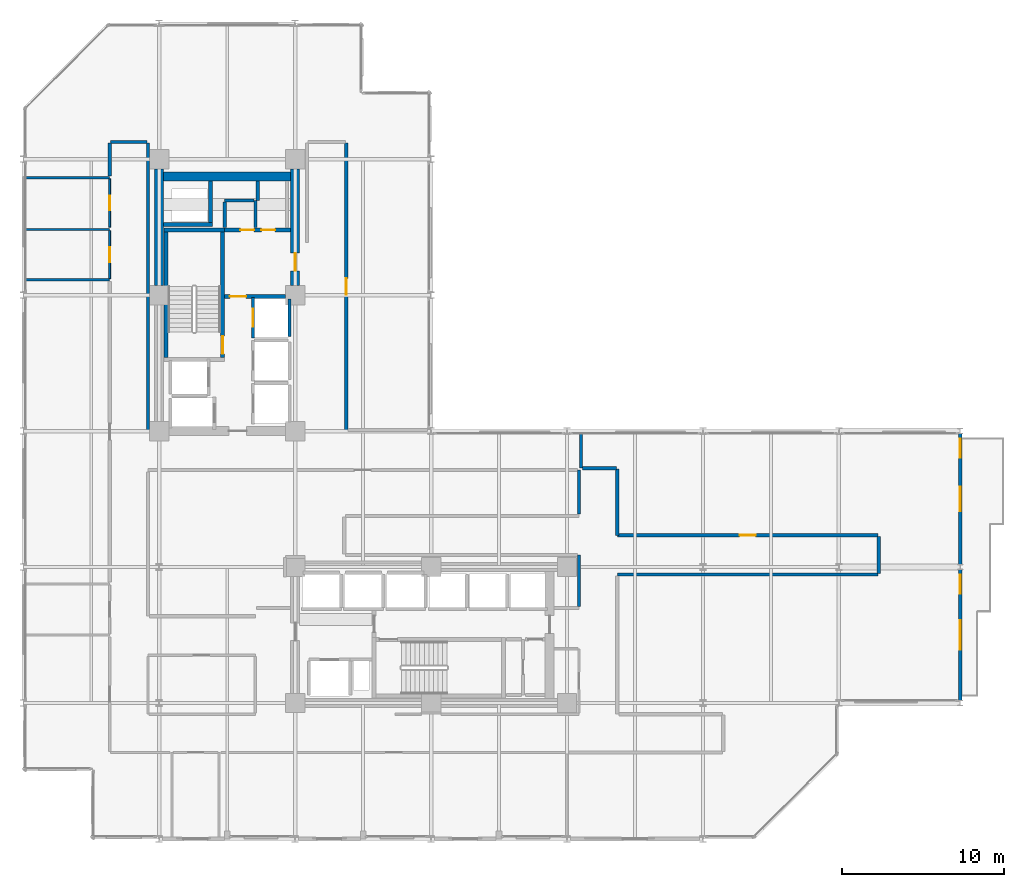
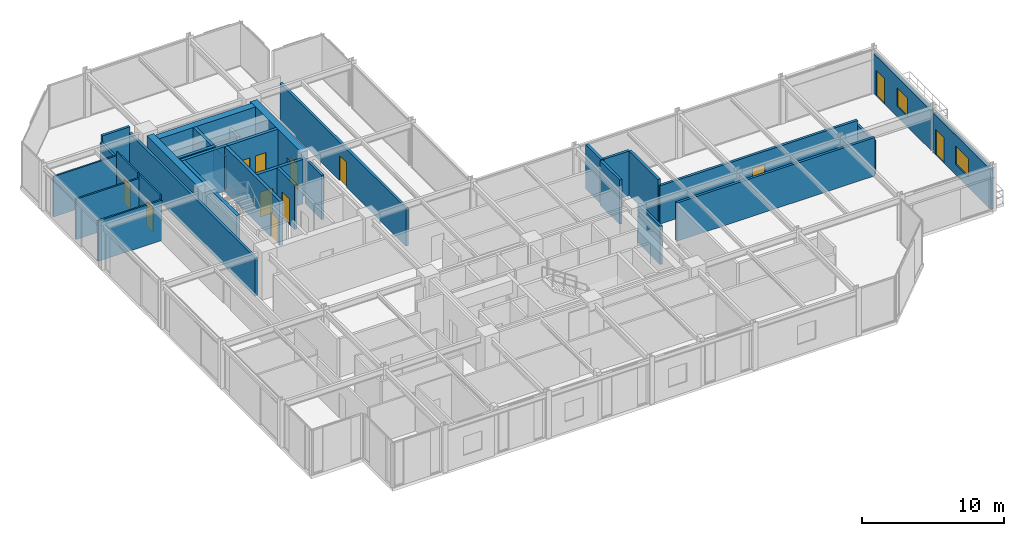
# One storey, part 34 of 38: 35 walls, 12 doors, 2 windows, 14 openings.
"""IFC4 building model written with IfcOpenShell, lengths in metres."""

from ifc_helpers import new_model, si_unit, direction, frame, frame_2d, origin, place, context, subcontext, project, spatial, rectangle, extrude, material, layer, layer_set, type_object, element, fill, save


model = new_model("IFC4")

# Units and contexts
model_context = context("Model", 3, precision=1e-05, world=origin(), true_north=direction((0.0, 1.0)))
body_context = subcontext(model_context, "Body", "Model", "MODEL_VIEW")
ifc_project = project(units=[si_unit("LENGTHUNIT", "METRE"), si_unit("AREAUNIT", "SQUARE_METRE"), si_unit("VOLUMEUNIT", "CUBIC_METRE"), si_unit("PLANEANGLEUNIT", "RADIAN"), si_unit("MASSUNIT", "GRAM", prefix="KILO")], contexts=[model_context])

# Site, building, storey
site_placement = place(None, origin())
site = spatial("IfcSite", under=ifc_project, at=site_placement, CompositionType="ELEMENT")
building_placement = place(site_placement, origin())
building = spatial("IfcBuilding", under=site, at=building_placement, Name="Nerrivon Quay Data Exchange", CompositionType="ELEMENT")
storey_placement = place(building_placement, frame((0.0, 0.0, 96.699951171875)))
storey = spatial("IfcBuildingStorey", under=building, at=storey_placement, Name="L22", CompositionType="ELEMENT", Elevation=96.699951171875)

# Wall, openings, door, window
ifc_material_1 = material(Name="Architectural terracotta precast concrete N50 (50 MPa)", Category="masonry")
ifc_layer_1 = layer(ifc_material_1, 0.239990234375)
ifc_layer_set_1 = layer_set([ifc_layer_1], Name="Architectural terracotta precast concrete N50 (50 MPa)")
wall_type_1 = type_object("IfcWallType", Name="EW-PREC-240", PredefinedType="STANDARD", material=ifc_layer_set_1)
wall_1_placement = place(storey_placement, frame((57.89990234375, 25.03662109375, 0.0), z_axis=(0.0, 0.0, 1.0), x_axis=(0.0, -1.0, 0.0)))
wall_1 = element("IfcWall", 1, at=wall_1_placement, inside=storey, type_object=wall_type_1, Name="L22 Terrace Host Wall 1", PredefinedType="STANDARD", context=body_context, shape_type="SweptSolid", body=[
    extrude(rectangle(XDim=8.0732421875, YDim=0.239990234375, at=frame_2d((4.03662109375, 0.0))), origin(), (0.0, 0.0, 1.0), 3.422119140625),
])
opening_1_placement = place(wall_1_placement, frame((0.300048828125, 0.0, 0.0)))
opening_1 = element("IfcOpeningElement", 2, at=opening_1_placement, cuts=wall_1, Name="Opening TD1", PredefinedType="OPENING", context=body_context, shape_type="SweptSolid", body=[
    extrude(rectangle(XDim=1.199951171875, YDim=2.199951171875, at=frame_2d((0.60009765625, 1.10009765625))), frame((0.0, 0.1298828125, 0.0), z_axis=(0.0, -1.0, 0.0), x_axis=(1.0, 0.0, 0.0)), (0.0, 0.0, 1.0), 0.260009765625),
])
opening_2_placement = place(wall_1_placement, frame((3.28662109375, 0.0, 0.89990234375)))
opening_2 = element("IfcOpeningElement", 3, at=opening_2_placement, cuts=wall_1, Name="Opening WN4", PredefinedType="OPENING", context=body_context, shape_type="SweptSolid", body=[
    extrude(rectangle(XDim=1.5, YDim=1.60009765625, at=frame_2d((0.75, 0.800048828125))), frame((0.0, 0.1298828125, 0.0), z_axis=(0.0, -1.0, 0.0), x_axis=(1.0, 0.0, 0.0)), (0.0, 0.0, 1.0), 0.260009765625),
])
ifc_material_2 = material(Name="Double-glazed low-E solar control glass", Category="glass")
door_type_1 = type_object("IfcDoorType", Name="DR-TERR-1200x2200", OperationType="NOTDEFINED", PredefinedType="DOOR", material=ifc_material_2)
door_1_placement = place(opening_1_placement, origin())
door_1 = element("IfcDoor", 4, at=door_1_placement, inside=storey, type_object=door_type_1, Name="L22 Outdoor Terrace Access Door 1", OperationType="SINGLE_SWING_RIGHT", OverallHeight=2.199951171875, OverallWidth=1.199951171875, PredefinedType="DOOR", context=body_context, shape_type="SweptSolid", body=[
    extrude(rectangle(XDim=1.199951171875, YDim=2.199951171875, at=frame_2d((0.60009765625, 1.10009765625))), frame((0.0, 0.02490234375, 0.0), z_axis=(0.0, -1.0, 0.0), x_axis=(1.0, 0.0, 0.0)), (0.0, 0.0, 1.0), 0.050048828125),
])
fill(opening_1, door_1)
window_type_1 = type_object("IfcWindowType", Name="WIN-W4-1500x1600", PartitioningType="SINGLE_PANEL", PredefinedType="WINDOW", material=ifc_material_2)
window_1_placement = place(opening_2_placement, origin())
window_1 = element("IfcWindow", 5, at=window_1_placement, inside=storey, type_object=window_type_1, Name="L22 Terrace Side Window 1", OverallHeight=1.60009765625, OverallWidth=1.5, PartitioningType="SINGLE_PANEL", PredefinedType="WINDOW", context=body_context, shape_type="SweptSolid", body=[
    extrude(rectangle(XDim=1.5, YDim=1.60009765625, at=frame_2d((0.75, 0.800048828125))), frame((0.0, 0.030029296875, 0.0), z_axis=(0.0, -1.0, 0.0), x_axis=(1.0, 0.0, 0.0)), (0.0, 0.0, 1.0), 0.06005859375),
])
fill(opening_2, window_1)

wall_2_placement = place(storey_placement, frame((57.89990234375, 16.636474609375, 0.0), z_axis=(0.0, 0.0, 1.0), x_axis=(0.0, -1.0, 0.0)))
wall_2 = element("IfcWall", 6, at=wall_2_placement, inside=storey, type_object=wall_type_1, Name="L22 Terrace Host Wall 2", PredefinedType="STANDARD", context=body_context, shape_type="SweptSolid", body=[
    extrude(rectangle(XDim=8.072998046875, YDim=0.239990234375, at=frame_2d((4.03662109375, 0.0))), origin(), (0.0, 0.0, 1.0), 3.422119140625),
])
opening_3_placement = place(wall_2_placement, frame((0.300048828125, 0.0, 0.0)))
opening_3 = element("IfcOpeningElement", 7, at=opening_3_placement, cuts=wall_2, Name="Opening TD1", PredefinedType="OPENING", context=body_context, shape_type="SweptSolid", body=[
    extrude(rectangle(XDim=1.199951171875, YDim=2.199951171875, at=frame_2d((0.60009765625, 1.10009765625))), frame((0.0, 0.1298828125, 0.0), z_axis=(0.0, -1.0, 0.0), x_axis=(1.0, 0.0, 0.0)), (0.0, 0.0, 1.0), 0.260009765625),
])
opening_4_placement = place(wall_2_placement, frame((3.136474609375, 0.0, 0.89990234375)))
opening_4 = element("IfcOpeningElement", 8, at=opening_4_placement, cuts=wall_2, Name="Opening WN2", PredefinedType="OPENING", context=body_context, shape_type="SweptSolid", body=[
    extrude(rectangle(XDim=1.800048828125, YDim=1.60009765625, at=frame_2d((0.89990234375, 0.800048828125))), frame((0.0, 0.1298828125, 0.0), z_axis=(0.0, -1.0, 0.0), x_axis=(1.0, 0.0, 0.0)), (0.0, 0.0, 1.0), 0.260009765625),
])
door_2_placement = place(opening_3_placement, origin())
door_2 = element("IfcDoor", 9, at=door_2_placement, inside=storey, type_object=door_type_1, Name="L22 Outdoor Terrace Access Door 2", OperationType="SINGLE_SWING_LEFT", OverallHeight=2.199951171875, OverallWidth=1.199951171875, PredefinedType="DOOR", context=body_context, shape_type="SweptSolid", body=[
    extrude(rectangle(XDim=1.199951171875, YDim=2.199951171875, at=frame_2d((0.60009765625, 1.10009765625))), frame((0.0, 0.02490234375, 0.0), z_axis=(0.0, -1.0, 0.0), x_axis=(1.0, 0.0, 0.0)), (0.0, 0.0, 1.0), 0.050048828125),
])
fill(opening_3, door_2)
window_type_2 = type_object("IfcWindowType", Name="WIN-W2-1800x1600", PartitioningType="SINGLE_PANEL", PredefinedType="WINDOW", material=ifc_material_2)
window_2_placement = place(opening_4_placement, origin())
window_2 = element("IfcWindow", 10, at=window_2_placement, inside=storey, type_object=window_type_2, Name="L22 Terrace Side Window 2", OverallHeight=1.60009765625, OverallWidth=1.800048828125, PartitioningType="SINGLE_PANEL", PredefinedType="WINDOW", context=body_context, shape_type="SweptSolid", body=[
    extrude(rectangle(XDim=1.800048828125, YDim=1.60009765625, at=frame_2d((0.89990234375, 0.800048828125))), frame((0.0, 0.030029296875, 0.0), z_axis=(0.0, -1.0, 0.0), x_axis=(1.0, 0.0, 0.0)), (0.0, 0.0, 1.0), 0.06005859375),
])
fill(opening_4, window_2)

# Walls
ifc_material_3 = material(Name="Concrete S65 (65 MPa)", Category="concrete")
ifc_layer_2 = layer(ifc_material_3, 0.550048828125)
ifc_layer_set_2 = layer_set([ifc_layer_2], Name="Concrete S65 (65 MPa)")
wall_type_2 = type_object("IfcWallType", Name="WALL-CW-700", PredefinedType="SHEAR", material=ifc_layer_set_2)
wall_3_placement = place(storey_placement, frame((8.39990234375, 34.199951171875, 0.0), z_axis=(0.0, 0.0, 1.0), x_axis=(0.0, 1.0, 0.0)))
element("IfcWall", 11, at=wall_3_placement, inside=storey, type_object=wall_type_2, Name="L22 West Split-Core Shear Wall WCW-W2", PredefinedType="SHEAR", context=body_context, shape_type="SweptSolid", body=[
    extrude(rectangle(XDim=7.199951171875, YDim=0.550048828125, at=frame_2d((3.60009765625, 0.0))), origin(), (0.0, 0.0, 1.0), 3.824951171875),
])
wall_4_placement = place(storey_placement, frame((8.675048828125, 40.925048828125, 0.0), z_axis=(0.0, 0.0, 1.0), x_axis=(1.0, 0.0, 0.0)))
element("IfcWall", 12, at=wall_4_placement, inside=storey, type_object=wall_type_2, Name="L22 West Split-Core Shear Wall WCW-N1", PredefinedType="SHEAR", context=body_context, shape_type="SweptSolid", body=[
    extrude(rectangle(XDim=7.849853515625, YDim=0.550048828125, at=frame_2d((3.9248046875, 0.0))), origin(), (0.0, 0.0, 1.0), 3.824951171875),
])

# Wall, opening, door
wall_5_placement = place(storey_placement, frame((16.800048828125, 34.199951171875, 0.0), z_axis=(0.0, 0.0, 1.0), x_axis=(0.0, 1.0, 0.0)))
wall_5 = element("IfcWall", 13, at=wall_5_placement, inside=storey, type_object=wall_type_2, Name="L22 West Split-Core Shear Wall WCW-E1", PredefinedType="SHEAR", context=body_context, shape_type="SweptSolid", body=[
    extrude(rectangle(XDim=7.199951171875, YDim=0.550048828125, at=frame_2d((3.60009765625, 0.0))), origin(), (0.0, 0.0, 1.0), 3.824951171875),
])
opening_5_placement = place(wall_5_placement, frame((0.89990234375, 0.0, 0.0)))
opening_5 = element("IfcOpeningElement", 14, at=opening_5_placement, cuts=wall_5, Name="Opening FD-120", PredefinedType="OPENING", context=body_context, shape_type="SweptSolid", body=[
    extrude(rectangle(XDim=1.10009765625, YDim=2.14990234375, at=frame_2d((0.550048828125, 1.074951171875))), frame((0.0, 0.284912109375, 0.0), z_axis=(0.0, -1.0, 0.0), x_axis=(1.0, 0.0, 0.0)), (0.0, 0.0, 1.0), 0.570068359375),
])
ifc_material_4 = material(Name="Powder-coated galvanized steel sheet", Category="steel")
door_type_2 = type_object("IfcDoorType", Name="DR-FD120-1100", OperationType="NOTDEFINED", PredefinedType="DOOR", material=ifc_material_4)
door_3_placement = place(opening_5_placement, origin())
door_3 = element("IfcDoor", 15, at=door_3_placement, inside=storey, type_object=door_type_2, Name="L22 West Core Lobby Fire Door", OperationType="SINGLE_SWING_LEFT", OverallHeight=2.14990234375, OverallWidth=1.10009765625, PredefinedType="DOOR", context=body_context, shape_type="SweptSolid", body=[
    extrude(rectangle(XDim=1.10009765625, YDim=2.14990234375, at=frame_2d((0.550048828125, 1.074951171875))), frame((0.0, 0.02490234375, 0.0), z_axis=(0.0, -1.0, 0.0), x_axis=(1.0, 0.0, 0.0)), (0.0, 0.0, 1.0), 0.050048828125),
])
fill(opening_5, door_3)

ifc_material_5 = material(Name="Gypsum plasterboard on cold-formed framing", Category="gypsum")
ifc_layer_3 = layer(ifc_material_5, 0.199951171875)
ifc_layer_set_3 = layer_set([ifc_layer_3], Name="Gypsum plasterboard on cold-formed framing")
wall_type_3 = type_object("IfcWallType", Name="WALL-FW-200", PredefinedType="PARTITIONING", material=ifc_layer_set_3)
wall_6_placement = place(storey_placement, frame((14.199951171875, 30.949951171875, 0.0), z_axis=(0.0, 0.0, 1.0), x_axis=(0.0, 1.0, 0.0)))
wall_6 = element("IfcWall", 16, at=wall_6_placement, inside=storey, type_object=wall_type_3, Name="L22 Lift Front Wall PL3", PredefinedType="PARTITIONING", context=body_context, shape_type="SweptSolid", body=[
    extrude(rectangle(XDim=2.5, YDim=0.199951171875, at=frame_2d((1.25, 0.0))), origin(), (0.0, 0.0, 1.0), 3.824951171875),
])
opening_6_placement = place(wall_6_placement, frame((0.699951171875, 0.0, 0.0)))
opening_6 = element("IfcOpeningElement", 17, at=opening_6_placement, cuts=wall_6, Name="Opening LD-120", PredefinedType="OPENING", context=body_context, shape_type="SweptSolid", body=[
    extrude(rectangle(XDim=1.10009765625, YDim=2.199951171875, at=frame_2d((0.550048828125, 1.10009765625))), frame((0.0, 0.10986328125, 0.0), z_axis=(0.0, -1.0, 0.0), x_axis=(1.0, 0.0, 0.0)), (0.0, 0.0, 1.0), 0.219970703125),
])
door_type_3 = type_object("IfcDoorType", Name="DR-LIFT-LD120", OperationType="DOUBLE_DOOR_SLIDING", PredefinedType="DOOR", material=ifc_material_4)
door_4_placement = place(opening_6_placement, origin())
door_4 = element("IfcDoor", 18, at=door_4_placement, inside=storey, type_object=door_type_3, Name="L22 Lift Landing Sliding Door PL3", OperationType="DOUBLE_DOOR_SLIDING", OverallHeight=2.199951171875, OverallWidth=1.10009765625, PredefinedType="DOOR", context=body_context, shape_type="SweptSolid", body=[
    extrude(rectangle(XDim=1.10009765625, YDim=2.199951171875, at=frame_2d((0.550048828125, 1.10009765625))), frame((0.0, 0.02490234375, 0.0), z_axis=(0.0, -1.0, 0.0), x_axis=(1.0, 0.0, 0.0)), (0.0, 0.0, 1.0), 0.050048828125),
])
fill(opening_6, door_4)

# Walls
wall_7_placement = place(storey_placement, frame((16.449951171875, 31.050048828125, 0.0), z_axis=(0.0, 0.0, 1.0), x_axis=(0.0, 1.0, 0.0)))
element("IfcWall", 19, at=wall_7_placement, inside=storey, type_object=wall_type_3, Name="L22 Lift Shaft Wall PL3 EAST", PredefinedType="PARTITIONING", context=body_context, shape_type="SweptSolid", body=[
    extrude(rectangle(XDim=2.300048828125, YDim=0.199951171875, at=frame_2d((1.14990234375, 0.0))), origin(), (0.0, 0.0, 1.0), 3.824951171875),
])
wall_8_placement = place(storey_placement, frame((14.35009765625, 37.780029296875, 0.0), z_axis=(0.0, 0.0, 1.0), x_axis=(0.0, 1.0, 0.0)))
element("IfcWall", 20, at=wall_8_placement, inside=storey, type_object=wall_type_3, Name="L22 Partition Equipment Store", PredefinedType="PARTITIONING", context=body_context, shape_type="SweptSolid", body=[
    extrude(rectangle(XDim=1.669921875, YDim=0.199951171875, at=frame_2d((0.8349609375, 0.0))), origin(), (0.0, 0.0, 1.0), 2.72509765625),
])
wall_9_placement = place(storey_placement, frame((14.24609375, 39.449951171875, 0.0), z_axis=(0.0, 0.0, 1.0), x_axis=(-1.0, 0.0, 0.0)))
element("IfcWall", 21, at=wall_9_placement, inside=storey, type_object=wall_type_3, Name="L22 Partition Equipment Store", PredefinedType="PARTITIONING", context=body_context, shape_type="SweptSolid", body=[
    extrude(rectangle(XDim=1.796142578125, YDim=0.199951171875, at=frame_2d((0.89794921875, 0.0))), origin(), (0.0, 0.0, 1.0), 2.72509765625),
])
wall_10_placement = place(storey_placement, frame((12.449951171875, 39.345947265625, 0.0), z_axis=(0.0, 0.0, 1.0), x_axis=(0.0, -1.0, 0.0)))
element("IfcWall", 22, at=wall_10_placement, inside=storey, type_object=wall_type_3, Name="L22 Partition Equipment Store", PredefinedType="PARTITIONING", context=body_context, shape_type="SweptSolid", body=[
    extrude(rectangle(XDim=1.56591796875, YDim=0.199951171875, at=frame_2d((0.782958984375, 0.0))), origin(), (0.0, 0.0, 1.0), 2.72509765625),
])
wall_11_placement = place(storey_placement, frame((14.489990234375, 40.64599609375, 0.0), z_axis=(0.0, 0.0, 1.0), x_axis=(0.0, -1.0, 0.0)))
element("IfcWall", 23, at=wall_11_placement, inside=storey, type_object=wall_type_3, Name="L22 Partition Cleaners Store", PredefinedType="PARTITIONING", context=body_context, shape_type="SweptSolid", body=[
    extrude(rectangle(XDim=1.196044921875, YDim=0.199951171875, at=frame_2d((0.59814453125, 0.0))), origin(), (0.0, 0.0, 1.0), 2.72509765625),
])
wall_12_placement = place(storey_placement, frame((34.340087890625, 14.364013671875, 0.0), z_axis=(0.0, 0.0, 1.0), x_axis=(0.0, 1.0, 0.0)))
element("IfcWall", 24, at=wall_12_placement, inside=storey, type_object=wall_type_3, Name="L22 Partition Colocation Data Workspace 6", PredefinedType="PARTITIONING", context=body_context, shape_type="SweptSolid", body=[
    extrude(rectangle(XDim=3.176025390625, YDim=0.199951171875, at=frame_2d((1.587890625, 0.0))), origin(), (0.0, 0.0, 1.0), 3.2919921875),
])
wall_13_placement = place(storey_placement, frame((34.340087890625, 20.06396484375, 0.0), z_axis=(0.0, 0.0, 1.0), x_axis=(0.0, 1.0, 0.0)))
element("IfcWall", 25, at=wall_13_placement, inside=storey, type_object=wall_type_3, Name="L22 Partition Colocation Data Workspace 6", PredefinedType="PARTITIONING", context=body_context, shape_type="SweptSolid", body=[
    extrude(rectangle(XDim=2.72607421875, YDim=0.199951171875, at=frame_2d((1.363037109375, 0.0))), origin(), (0.0, 0.0, 1.0), 3.824951171875),
])
wall_14_placement = place(storey_placement, frame((5.340087890625, 40.969970703125, 0.0), z_axis=(0.0, 0.0, 1.0), x_axis=(0.0, 1.0, 0.0)))
element("IfcWall", 26, at=wall_14_placement, inside=storey, type_object=wall_type_3, Name="L22 Partition Colocation Data Workspace 7", PredefinedType="PARTITIONING", context=body_context, shape_type="SweptSolid", body=[
    extrude(rectangle(XDim=2.030029296875, YDim=0.199951171875, at=frame_2d((1.01513671875, 0.0))), origin(), (0.0, 0.0, 1.0), 3.2919921875),
])
wall_15_placement = place(storey_placement, frame((5.39990234375, 43.06005859375, 0.0), z_axis=(0.0, 0.0, 1.0), x_axis=(1.0, 0.0, 0.0)))
element("IfcWall", 27, at=wall_15_placement, inside=storey, type_object=wall_type_3, Name="L22 Partition Colocation Data Workspace 7", PredefinedType="PARTITIONING", context=body_context, shape_type="SweptSolid", body=[
    extrude(rectangle(XDim=2.25, YDim=0.199951171875, at=frame_2d((1.125, 0.0))), origin(), (0.0, 0.0, 1.0), 3.824951171875),
])
wall_16_placement = place(storey_placement, frame((7.7099609375, 43.0, 0.0), z_axis=(0.0, 0.0, 1.0), x_axis=(0.0, -1.0, 0.0)))
element("IfcWall", 28, at=wall_16_placement, inside=storey, type_object=wall_type_3, Name="L22 Partition Colocation Data Workspace 7", PredefinedType="PARTITIONING", context=body_context, shape_type="SweptSolid", body=[
    extrude(rectangle(XDim=17.739990234375, YDim=0.199951171875, at=frame_2d((8.8701171875, 0.0))), origin(), (0.0, 0.0, 1.0), 3.2919921875),
])

# Wall, opening, door
wall_17_placement = place(storey_placement, frame((19.9599609375, 43.0, 0.0), z_axis=(0.0, 0.0, 1.0), x_axis=(0.0, -1.0, 0.0)))
wall_17 = element("IfcWall", 29, at=wall_17_placement, inside=storey, type_object=wall_type_3, Name="L22 Partition Colocation Data Workspace 7", PredefinedType="PARTITIONING", context=body_context, shape_type="SweptSolid", body=[
    extrude(rectangle(XDim=17.739990234375, YDim=0.199951171875, at=frame_2d((8.8701171875, 0.0))), origin(), (0.0, 0.0, 1.0), 3.2919921875),
])
opening_7_placement = place(wall_17_placement, frame((8.3701171875, 0.0, 0.0)))
opening_7 = element("IfcOpeningElement", 30, at=opening_7_placement, cuts=wall_17, Name="Opening FD-60", PredefinedType="OPENING", context=body_context, shape_type="SweptSolid", body=[
    extrude(rectangle(XDim=1.0, YDim=2.14990234375, at=frame_2d((0.5, 1.074951171875))), frame((0.0, 0.10986328125, 0.0), z_axis=(0.0, -1.0, 0.0), x_axis=(1.0, 0.0, 0.0)), (0.0, 0.0, 1.0), 0.219970703125),
])
ifc_material_6 = material(Name="Engineered hardwood timber", Category="wood")
door_type_4 = type_object("IfcDoorType", Name="DR-FD60-1000", OperationType="NOTDEFINED", PredefinedType="DOOR", material=ifc_material_6)
door_5_placement = place(opening_7_placement, origin())
door_5 = element("IfcDoor", 31, at=door_5_placement, inside=storey, type_object=door_type_4, Name="L22 Door Colocation Data Workspace 7", OperationType="SINGLE_SWING_LEFT", OverallHeight=2.14990234375, OverallWidth=1.0, PredefinedType="DOOR", context=body_context, shape_type="SweptSolid", body=[
    extrude(rectangle(XDim=1.0, YDim=2.14990234375, at=frame_2d((0.5, 1.074951171875))), frame((0.0, 0.02490234375, 0.0), z_axis=(0.0, -1.0, 0.0), x_axis=(1.0, 0.0, 0.0)), (0.0, 0.0, 1.0), 0.050048828125),
])
fill(opening_7, door_5)

# Walls
wall_18_placement = place(storey_placement, frame((34.4599609375, 25.031005859375, 0.0), z_axis=(0.0, 0.0, 1.0), x_axis=(0.0, -1.0, 0.0)))
element("IfcWall", 32, at=wall_18_placement, inside=storey, type_object=wall_type_3, Name="L22 Partition Colocation Data Workspace 8", PredefinedType="PARTITIONING", context=body_context, shape_type="SweptSolid", body=[
    extrude(rectangle(XDim=2.12109375, YDim=0.199951171875, at=frame_2d((1.060546875, 0.0))), origin(), (0.0, 0.0, 1.0), 3.824951171875),
])
wall_19_placement = place(storey_placement, frame((34.56396484375, 22.909912109375, 0.0), z_axis=(0.0, 0.0, 1.0), x_axis=(1.0, 0.0, 0.0)))
element("IfcWall", 33, at=wall_19_placement, inside=storey, type_object=wall_type_3, Name="L22 Partition Colocation Data Workspace 8", PredefinedType="PARTITIONING", context=body_context, shape_type="SweptSolid", body=[
    extrude(rectangle(XDim=2.0859375, YDim=0.199951171875, at=frame_2d((1.04296875, 0.0))), origin(), (0.0, 0.0, 1.0), 3.824951171875),
])
wall_20_placement = place(storey_placement, frame((36.7099609375, 22.85009765625, 0.0), z_axis=(0.0, 0.0, 1.0), x_axis=(0.0, -1.0, 0.0)))
element("IfcWall", 34, at=wall_20_placement, inside=storey, type_object=wall_type_3, Name="L22 Partition Colocation Data Workspace 8", PredefinedType="PARTITIONING", context=body_context, shape_type="SweptSolid", body=[
    extrude(rectangle(XDim=4.090087890625, YDim=0.199951171875, at=frame_2d((2.044921875, 0.0))), origin(), (0.0, 0.0, 1.0), 3.824951171875),
])

# Wall, opening, door
wall_21_placement = place(storey_placement, frame((36.7099609375, 18.760009765625, 0.0), z_axis=(0.0, 0.0, 1.0), x_axis=(0.999999999885, -1.5167832e-05, 0.0)))
wall_21 = element("IfcWall", 35, at=wall_21_placement, inside=storey, type_object=wall_type_3, Name="L22 Partition Colocation Data Workspace 8", PredefinedType="PARTITIONING", context=body_context, shape_type="SweptSolid", body=[
    extrude(rectangle(XDim=16.095947265625, YDim=0.199951171875, at=frame_2d((8.0478515625, 0.0))), origin(), (0.0, 0.0, 1.0), 3.297119140625),
])
opening_8_placement = place(wall_21_placement, frame((7.548095703125, 0.0, 0.0)))
opening_8 = element("IfcOpeningElement", 36, at=opening_8_placement, cuts=wall_21, Name="Opening FD-60", PredefinedType="OPENING", context=body_context, shape_type="SweptSolid", body=[
    extrude(rectangle(XDim=1.0, YDim=2.14990234375, at=frame_2d((0.5, 1.074951171875))), frame((0.0, 0.10986328125, 0.0), z_axis=(0.0, -1.0, 0.0), x_axis=(1.0, 0.0, 0.0)), (0.0, 0.0, 1.0), 0.219970703125),
])
door_6_placement = place(opening_8_placement, origin())
door_6 = element("IfcDoor", 37, at=door_6_placement, inside=storey, type_object=door_type_4, Name="L22 Door Colocation Data Workspace 8", OperationType="SINGLE_SWING_RIGHT", OverallHeight=2.14990234375, OverallWidth=1.0, PredefinedType="DOOR", context=body_context, shape_type="SweptSolid", body=[
    extrude(rectangle(XDim=1.0, YDim=2.14990234375, at=frame_2d((0.5, 1.074951171875))), frame((0.0, 0.02490234375, 0.0), z_axis=(0.0, -1.0, 0.0), x_axis=(1.0, 0.0, 0.0)), (0.0, 0.0, 1.0), 0.050048828125),
])
fill(opening_8, door_6)

# Walls
wall_22_placement = place(storey_placement, frame((52.860107421875, 18.699951171875, 0.0), z_axis=(0.0, 0.0, 1.0), x_axis=(0.0, -1.0, 0.0)))
element("IfcWall", 38, at=wall_22_placement, inside=storey, type_object=wall_type_3, Name="L22 Partition Colocation Data Workspace 8", PredefinedType="PARTITIONING", context=body_context, shape_type="SweptSolid", body=[
    extrude(rectangle(XDim=2.300048828125, YDim=0.199951171875, at=frame_2d((1.14990234375, 0.0))), origin(), (0.0, 0.0, 1.0), 2.9150390625),
])
wall_23_placement = place(storey_placement, frame((52.800048828125, 16.340087890625, 0.0), z_axis=(0.0, 0.0, 1.0), x_axis=(-1.0, 0.0, 0.0)))
element("IfcWall", 39, at=wall_23_placement, inside=storey, type_object=wall_type_3, Name="L22 Partition Colocation Data Workspace 8", PredefinedType="PARTITIONING", context=body_context, shape_type="SweptSolid", body=[
    extrude(rectangle(XDim=16.090087890625, YDim=0.199951171875, at=frame_2d((8.044921875, 0.0))), origin(), (0.0, 0.0, 1.0), 3.297119140625),
])

# Wall, opening, door
ifc_layer_4 = layer(ifc_material_5, 0.1201171875)
ifc_layer_set_4 = layer_set([ifc_layer_4], Name="Gypsum plasterboard on cold-formed framing")
wall_type_4 = type_object("IfcWallType", Name="WALL-PT-120", PredefinedType="PARTITIONING", material=ifc_layer_set_4)
wall_24_placement = place(storey_placement, frame((5.340087890625, 34.62158203125, 0.0), z_axis=(0.0, 0.0, 1.0), x_axis=(0.0, 1.0, 0.0)))
wall_24 = element("IfcWall", 40, at=wall_24_placement, inside=storey, type_object=wall_type_4, Name="L22 Partition Public Washrooms", PredefinedType="PARTITIONING", context=body_context, shape_type="SweptSolid", body=[
    extrude(rectangle(XDim=2.95703125, YDim=0.1201171875, at=frame_2d((1.478515625, 0.0))), origin(), (0.0, 0.0, 1.0), 3.824951171875),
])
opening_9_placement = place(wall_24_placement, frame((1.0185546875, 0.0, 0.0)))
opening_9 = element("IfcOpeningElement", 41, at=opening_9_placement, cuts=wall_24, Name="Opening D-WC", PredefinedType="OPENING", context=body_context, shape_type="SweptSolid", body=[
    extrude(rectangle(XDim=0.919921875, YDim=2.10009765625, at=frame_2d((0.4599609375, 1.050048828125))), frame((0.0, 0.070068359375, 0.0), z_axis=(0.0, -1.0, 0.0), x_axis=(1.0, 0.0, 0.0)), (0.0, 0.0, 1.0), 0.14013671875),
])
door_type_5 = type_object("IfcDoorType", Name="DR-WC-920", OperationType="NOTDEFINED", PredefinedType="DOOR", material=ifc_material_6)
door_7_placement = place(opening_9_placement, origin())
door_7 = element("IfcDoor", 42, at=door_7_placement, inside=storey, type_object=door_type_5, Name="L22 Door Public Washrooms", OperationType="SINGLE_SWING_RIGHT", OverallHeight=2.10009765625, OverallWidth=0.919921875, PredefinedType="DOOR", context=body_context, shape_type="SweptSolid", body=[
    extrude(rectangle(XDim=0.919921875, YDim=2.10009765625, at=frame_2d((0.4599609375, 1.050048828125))), frame((0.0, 0.02490234375, 0.0), z_axis=(0.0, -1.0, 0.0), x_axis=(1.0, 0.0, 0.0)), (0.0, 0.0, 1.0), 0.050048828125),
])
fill(opening_9, door_7)

wall_25_placement = place(storey_placement, frame((5.340087890625, 37.800048828125, 0.0), z_axis=(0.0, 0.0, 1.0), x_axis=(0.0, 1.0, 0.0)))
wall_25 = element("IfcWall", 43, at=wall_25_placement, inside=storey, type_object=wall_type_4, Name="L22 Partition Staff Shower Block", PredefinedType="PARTITIONING", context=body_context, shape_type="SweptSolid", body=[
    extrude(rectangle(XDim=2.978515625, YDim=0.1201171875, at=frame_2d((1.4892578125, 0.0))), origin(), (0.0, 0.0, 1.0), 3.824951171875),
])
opening_10_placement = place(wall_25_placement, frame((1.029296875, 0.0, 0.0)))
opening_10 = element("IfcOpeningElement", 44, at=opening_10_placement, cuts=wall_25, Name="Opening D-WC", PredefinedType="OPENING", context=body_context, shape_type="SweptSolid", body=[
    extrude(rectangle(XDim=0.919921875, YDim=2.10009765625, at=frame_2d((0.4599609375, 1.050048828125))), frame((0.0, 0.070068359375, 0.0), z_axis=(0.0, -1.0, 0.0), x_axis=(1.0, 0.0, 0.0)), (0.0, 0.0, 1.0), 0.14013671875),
])
door_8_placement = place(opening_10_placement, origin())
door_8 = element("IfcDoor", 45, at=door_8_placement, inside=storey, type_object=door_type_5, Name="L22 Door Staff Shower Block", OperationType="SINGLE_SWING_LEFT", OverallHeight=2.10009765625, OverallWidth=0.919921875, PredefinedType="DOOR", context=body_context, shape_type="SweptSolid", body=[
    extrude(rectangle(XDim=0.919921875, YDim=2.10009765625, at=frame_2d((0.4599609375, 1.050048828125))), frame((0.0, 0.02490234375, 0.0), z_axis=(0.0, -1.0, 0.0), x_axis=(1.0, 0.0, 0.0)), (0.0, 0.0, 1.0), 0.050048828125),
])
fill(opening_10, door_8)

# Walls
ifc_layer_5 = layer(ifc_material_5, 0.135009765625)
ifc_layer_set_5 = layer_set([ifc_layer_5], Name="Gypsum plasterboard on cold-formed framing")
wall_type_5 = type_object("IfcWallType", Name="WALL-PT-135", PredefinedType="PARTITIONING", material=ifc_layer_set_5)
for number, where, z_axis, x_axis, name in (
    (46, (5.340087890625, 37.64990234375, 0.0), (0.0, 0.0, 1.0), (-1.0, 0.0, 0.0), "L22 Partition Public Washrooms"),
    (47, (0.1689453125, 34.550048828125, 0.0), (0.0, 0.0, 1.0), (1.0, 0.0, 0.0), "L22 Partition Public Washrooms"),
    (48, (5.340087890625, 40.85009765625, 0.0), (0.0, 0.0, 1.0), (-1.0, 0.0, 0.0), "L22 Partition Staff Shower Block"),
):
    element("IfcWall", number, at=place(storey_placement, frame(where, z_axis=z_axis, x_axis=x_axis)), inside=storey, type_object=wall_type_5, Name=name, PredefinedType="PARTITIONING", context=body_context, shape_type="SweptSolid", body=[
        extrude(rectangle(XDim=5.171142578125, YDim=0.135009765625, at=frame_2d((2.58544921875, 0.0))), origin(), (0.0, 0.0, 1.0), 3.468994140625),
    ])
ifc_material_7 = material(Name="Concrete N50 (50 MPa)", Category="concrete")
ifc_layer_6 = layer(ifc_material_7, 0.25)
ifc_layer_set_6 = layer_set([ifc_layer_6], Name="Concrete N50 (50 MPa)")
wall_type_6 = type_object("IfcWallType", Name="WALL-SW-250", PredefinedType="SHEAR", material=ifc_layer_set_6)
wall_26_placement = place(storey_placement, frame((12.449951171875, 37.625, 0.0), z_axis=(0.0, 0.0, 1.0), x_axis=(-1.0, 0.0, 0.0)))
element("IfcWall", 49, at=wall_26_placement, inside=storey, type_object=wall_type_6, Name="L22 ST01 Structural Stair Core Wall FAR", PredefinedType="SHEAR", context=body_context, shape_type="SweptSolid", body=[
    extrude(rectangle(XDim=3.75, YDim=0.25, at=frame_2d((1.875, 0.0))), origin(), (0.0, 0.0, 1.0), 3.824951171875),
])

# Wall, opening, door
wall_27_placement = place(storey_placement, frame((12.324951171875, 29.75, 0.0), z_axis=(0.0, 0.0, 1.0), x_axis=(0.0, 1.0, 0.0)))
wall_27 = element("IfcWall", 50, at=wall_27_placement, inside=storey, type_object=wall_type_6, Name="L22 ST01 Structural Stair Core Wall LEFT", PredefinedType="SHEAR", context=body_context, shape_type="SweptSolid", body=[
    extrude(rectangle(XDim=7.75, YDim=0.25, at=frame_2d((3.875, 0.0))), origin(), (0.0, 0.0, 1.0), 3.824951171875),
])
opening_11_placement = place(wall_27_placement, frame((0.219970703125, 0.0, 0.0)))
opening_11 = element("IfcOpeningElement", 51, at=opening_11_placement, cuts=wall_27, Name="Opening FD-120", PredefinedType="OPENING", context=body_context, shape_type="SweptSolid", body=[
    extrude(rectangle(XDim=1.10009765625, YDim=2.14990234375, at=frame_2d((0.550048828125, 1.074951171875))), frame((0.0, 0.135009765625, 0.0), z_axis=(0.0, -1.0, 0.0), x_axis=(1.0, 0.0, 0.0)), (0.0, 0.0, 1.0), 0.27001953125),
])
door_9_placement = place(opening_11_placement, origin())
door_9 = element("IfcDoor", 52, at=door_9_placement, inside=storey, type_object=door_type_2, Name="L22 Protected Stair Door ST01", OperationType="SINGLE_SWING_LEFT", OverallHeight=2.14990234375, OverallWidth=1.10009765625, PredefinedType="DOOR", context=body_context, shape_type="SweptSolid", body=[
    extrude(rectangle(XDim=1.10009765625, YDim=2.14990234375, at=frame_2d((0.550048828125, 1.074951171875))), frame((0.0, 0.02490234375, 0.0), z_axis=(0.0, -1.0, 0.0), x_axis=(1.0, 0.0, 0.0)), (0.0, 0.0, 1.0), 0.050048828125),
])
fill(opening_11, door_9)

# Walls
wall_28_placement = place(storey_placement, frame((8.824951171875, 29.75, 0.0), z_axis=(0.0, 0.0, 1.0), x_axis=(0.0, 1.0, 0.0)))
element("IfcWall", 53, at=wall_28_placement, inside=storey, type_object=wall_type_6, Name="L22 ST01 Structural Stair Core Wall RIGHT", PredefinedType="SHEAR", context=body_context, shape_type="SweptSolid", body=[
    extrude(rectangle(XDim=7.75, YDim=0.25, at=frame_2d((3.875, 0.0))), origin(), (0.0, 0.0, 1.0), 3.824951171875),
])
wall_29_placement = place(storey_placement, frame((8.675048828125, 37.97509765625, 0.0), z_axis=(0.0, 0.0, 1.0), x_axis=(1.0, 0.0, 0.0)))
element("IfcWall", 54, at=wall_29_placement, inside=storey, type_object=wall_type_6, Name="L22 West Core MEP Riser Shaft Wall S", PredefinedType="SHEAR", context=body_context, shape_type="SweptSolid", body=[
    extrude(rectangle(XDim=3.02490234375, YDim=0.25, at=frame_2d((1.512451171875, 0.0))), origin(), (0.0, 0.0, 1.0), 3.824951171875),
])
wall_30_placement = place(storey_placement, frame((11.574951171875, 38.10009765625, 0.0), z_axis=(0.0, 0.0, 1.0), x_axis=(0.0, 1.0, 0.0)))
element("IfcWall", 55, at=wall_30_placement, inside=storey, type_object=wall_type_6, Name="L22 West Core MEP Riser Shaft Wall E", PredefinedType="SHEAR", context=body_context, shape_type="SweptSolid", body=[
    extrude(rectangle(XDim=2.5498046875, YDim=0.25, at=frame_2d((1.27490234375, 0.0))), origin(), (0.0, 0.0, 1.0), 3.824951171875),
])

# Wall, opening, door
wall_31_placement = place(storey_placement, frame((12.449951171875, 33.52001953125, 0.0), z_axis=(0.0, 0.0, 1.0), x_axis=(1.0, 0.0, 0.0)))
wall_31 = element("IfcWall", 56, at=wall_31_placement, inside=storey, type_object=wall_type_6, Name="L22 West Lobby Smoke-Stop Wall", PredefinedType="SHEAR", context=body_context, shape_type="SweptSolid", body=[
    extrude(rectangle(XDim=3.75, YDim=0.25, at=frame_2d((1.875, 0.0))), origin(), (0.0, 0.0, 1.0), 3.824951171875),
])
opening_12_placement = place(wall_31_placement, frame((0.320068359375, 0.0, 0.0)))
opening_12 = element("IfcOpeningElement", 57, at=opening_12_placement, cuts=wall_31, Name="Opening FD-60", PredefinedType="OPENING", context=body_context, shape_type="SweptSolid", body=[
    extrude(rectangle(XDim=1.0, YDim=2.14990234375, at=frame_2d((0.5, 1.074951171875))), frame((0.0, 0.135009765625, 0.0), z_axis=(0.0, -1.0, 0.0), x_axis=(1.0, 0.0, 0.0)), (0.0, 0.0, 1.0), 0.27001953125),
])
door_10_placement = place(opening_12_placement, origin())
door_10 = element("IfcDoor", 58, at=door_10_placement, inside=storey, type_object=door_type_4, Name="L22 West Firefighting Lobby Fire Door", OperationType="SINGLE_SWING_LEFT", OverallHeight=2.14990234375, OverallWidth=1.0, PredefinedType="DOOR", context=body_context, shape_type="SweptSolid", body=[
    extrude(rectangle(XDim=1.0, YDim=2.14990234375, at=frame_2d((0.5, 1.074951171875))), frame((0.0, 0.02490234375, 0.0), z_axis=(0.0, -1.0, 0.0), x_axis=(1.0, 0.0, 0.0)), (0.0, 0.0, 1.0), 0.050048828125),
])
fill(opening_12, door_10)

# Wall, openings, doors
wall_32_placement = place(storey_placement, frame((12.449951171875, 37.625, 0.0), z_axis=(0.0, 0.0, 1.0), x_axis=(1.0, 0.0, 0.0)))
wall_32 = element("IfcWall", 59, at=wall_32_placement, inside=storey, type_object=wall_type_6, Name="L22 West Firefighting Lobby Wall", PredefinedType="SHEAR", context=body_context, shape_type="SweptSolid", body=[
    extrude(rectangle(XDim=4.074951171875, YDim=0.25, at=frame_2d((2.03759765625, 0.0))), origin(), (0.0, 0.0, 1.0), 3.824951171875),
])
opening_13_placement = place(wall_32_placement, frame((0.96044921875, 0.0, 0.0)))
opening_13 = element("IfcOpeningElement", 60, at=opening_13_placement, cuts=wall_32, Name="Opening FD-60S", PredefinedType="OPENING", context=body_context, shape_type="SweptSolid", body=[
    extrude(rectangle(XDim=0.85009765625, YDim=2.14990234375, at=frame_2d((0.425048828125, 1.074951171875))), frame((0.0, 0.135009765625, 0.0), z_axis=(0.0, -1.0, 0.0), x_axis=(1.0, 0.0, 0.0)), (0.0, 0.0, 1.0), 0.27001953125),
])
opening_14_placement = place(wall_32_placement, frame((2.264404296875, 0.0, 0.0)))
opening_14 = element("IfcOpeningElement", 61, at=opening_14_placement, cuts=wall_32, Name="Opening FD-60S", PredefinedType="OPENING", context=body_context, shape_type="SweptSolid", body=[
    extrude(rectangle(XDim=0.85009765625, YDim=2.14990234375, at=frame_2d((0.425048828125, 1.074951171875))), frame((0.0, 0.135009765625, 0.0), z_axis=(0.0, -1.0, 0.0), x_axis=(1.0, 0.0, 0.0)), (0.0, 0.0, 1.0), 0.27001953125),
])
door_type_6 = type_object("IfcDoorType", Name="DR-FD60-850", OperationType="NOTDEFINED", PredefinedType="DOOR", material=ifc_material_6)
door_11_placement = place(opening_13_placement, origin())
door_11 = element("IfcDoor", 62, at=door_11_placement, inside=storey, type_object=door_type_6, Name="L22 Door Equipment Store", OperationType="SINGLE_SWING_LEFT", OverallHeight=2.14990234375, OverallWidth=0.85009765625, PredefinedType="DOOR", context=body_context, shape_type="SweptSolid", body=[
    extrude(rectangle(XDim=0.85009765625, YDim=2.14990234375, at=frame_2d((0.425048828125, 1.074951171875))), frame((0.0, 0.02490234375, 0.0), z_axis=(0.0, -1.0, 0.0), x_axis=(1.0, 0.0, 0.0)), (0.0, 0.0, 1.0), 0.050048828125),
])
fill(opening_13, door_11)
door_12_placement = place(opening_14_placement, origin())
door_12 = element("IfcDoor", 63, at=door_12_placement, inside=storey, type_object=door_type_6, Name="L22 Door Cleaners Store", OperationType="SINGLE_SWING_RIGHT", OverallHeight=2.14990234375, OverallWidth=0.85009765625, PredefinedType="DOOR", context=body_context, shape_type="SweptSolid", body=[
    extrude(rectangle(XDim=0.85009765625, YDim=2.14990234375, at=frame_2d((0.425048828125, 1.074951171875))), frame((0.0, 0.02490234375, 0.0), z_axis=(0.0, -1.0, 0.0), x_axis=(1.0, 0.0, 0.0)), (0.0, 0.0, 1.0), 0.050048828125),
])
fill(opening_14, door_12)

save(model, "model.ifc")
